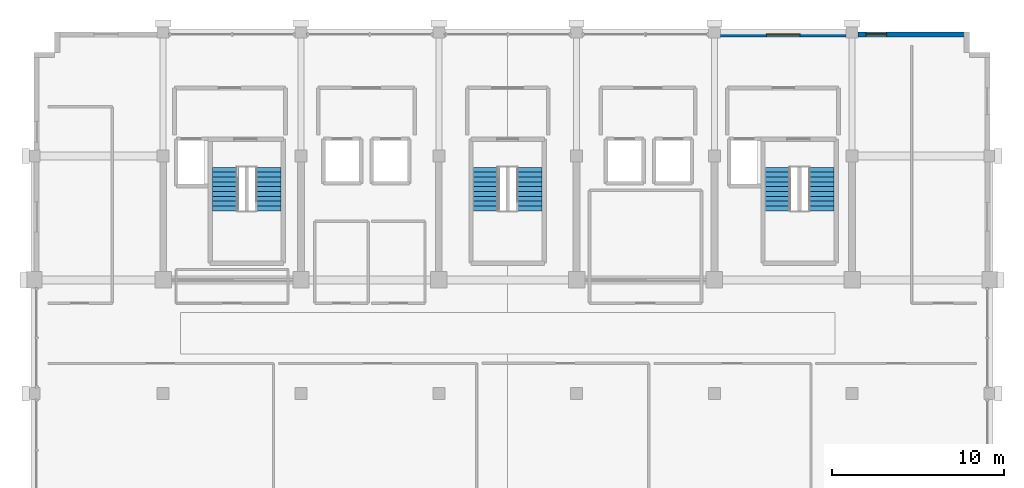
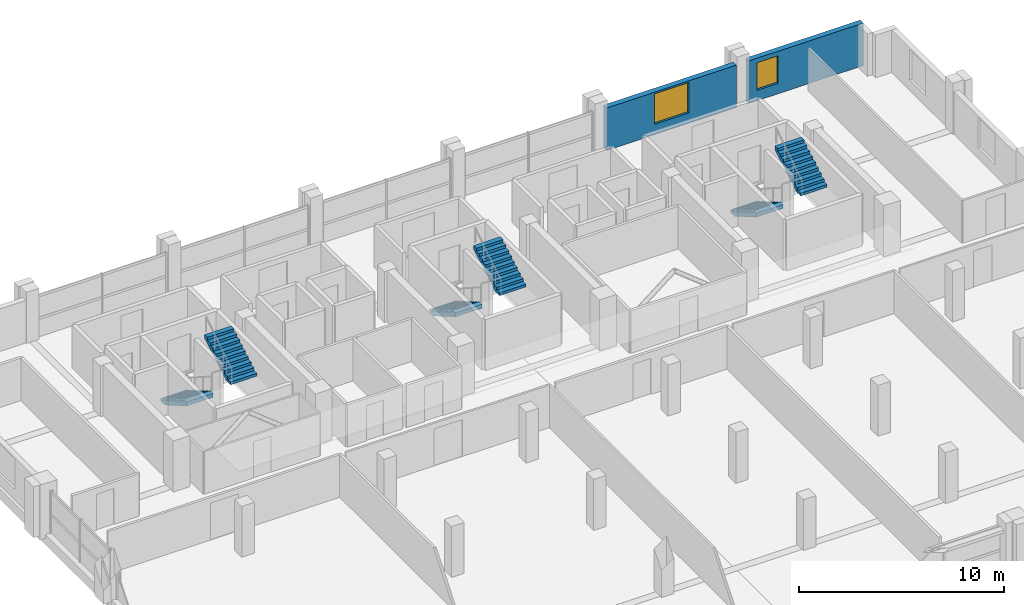
# One storey, part 24 of 25: 6 stair flights, 2 walls, 2 windows, 2 openings, 3 elements without a shape of their own.
"""IFC4 building model written with IfcOpenShell, lengths in metres."""

from ifc_helpers import new_model, si_unit, direction, frame, frame_2d, origin, place, context, subcontext, project, spatial, polyline, rectangle, outline, extrude, material, layer, layer_set, type_object, element, fill, aggregate, save


model = new_model("IFC4")

# Units and contexts
model_context = context("Model", 3, precision=1e-05, world=origin(), true_north=direction((0.0, 1.0)))
body_context = subcontext(model_context, "Body", "Model", "MODEL_VIEW")
ifc_project = project(units=[si_unit("LENGTHUNIT", "METRE"), si_unit("AREAUNIT", "SQUARE_METRE"), si_unit("VOLUMEUNIT", "CUBIC_METRE"), si_unit("PLANEANGLEUNIT", "RADIAN"), si_unit("MASSUNIT", "GRAM", prefix="KILO")], contexts=[model_context])

# Site, building, storey
site_placement = place(None, origin())
site = spatial("IfcSite", under=ifc_project, at=site_placement, CompositionType="ELEMENT")
building_placement = place(site_placement, origin())
building = spatial("IfcBuilding", under=site, at=building_placement, Name="Akrevak Sports Hall", CompositionType="ELEMENT")
storey_placement = place(building_placement, frame((0.0, 0.0, 50.300048828125)))
storey = spatial("IfcBuildingStorey", under=building, at=storey_placement, Name="L12", CompositionType="ELEMENT", Elevation=50.300048828125)

# Wall, opening, window
ifc_material_1 = material(Name="Limestone Ashlar", Category="stone")
ifc_layer_1 = layer(ifc_material_1, 0.06005859375, Name="Limestone Ashlar")
ifc_material_2 = material(Name="Mineral Wool Thermal Insulation", Category="insulation")
ifc_layer_2 = layer(ifc_material_2, 0.090087890625, Name="Mineral Wool Thermal Insulation")
ifc_material_3 = material(Name="Concrete C40/50", Category="concrete")
ifc_layer_3 = layer(ifc_material_3, 0.14990234375, Name="Concrete C40/50")
ifc_layer_set = layer_set([ifc_layer_1, ifc_layer_2, ifc_layer_3], Name="Limestone Ashlar / Mineral Wool Thermal Insulation / Concrete C40/50")
wall_type = type_object("IfcWallType", Name="ARC-WL-EXT-300", PredefinedType="SOLIDWALL", material=ifc_layer_set)
wall_1_placement = place(storey_placement, frame((106.800048828125, 69.449951171875, 0.0), z_axis=(0.0, 0.0, 1.0), x_axis=(-1.0, 0.0, 0.0)))
wall_1 = element("IfcWall", 1, at=wall_1_placement, inside=storey, type_object=wall_type, Name="Tower Stone Facade Wall L12-N19", PredefinedType="SOLIDWALL", context=body_context, shape_type="SweptSolid", body=[
    extrude(rectangle(XDim=6.449951171875, YDim=0.300048828125, at=frame_2d((3.22509765625, 0.0))), origin(), (0.0, 0.0, 1.0), 2.530029296875),
])
opening_1_placement = place(wall_1_placement, frame((4.800048828125, 0.0, 0.6201171875)))
opening_1 = element("IfcOpeningElement", 2, at=opening_1_placement, cuts=wall_1, Name="Opening WN-45", PredefinedType="OPENING", context=body_context, shape_type="SweptSolid", body=[
    extrude(rectangle(XDim=1.199951171875, YDim=1.64990234375, at=frame_2d((0.60009765625, 0.824951171875))), frame((0.0, 0.162109375, 0.0), z_axis=(0.0, -1.0, 0.0), x_axis=(1.0, 0.0, 0.0)), (0.0, 0.0, 1.0), 0.323974609375),
])
ifc_material_4 = material(Name="Thermally Broken Bronze Frame & Double Low-E Glass", Category="glass")
window_type_1 = type_object("IfcWindowType", Name="ARC-WIN-SZ-1200x1650", PartitioningType="SINGLE_PANEL", PredefinedType="WINDOW", material=ifc_material_4)
window_1_placement = place(opening_1_placement, origin())
window_1 = element("IfcWindow", 3, at=window_1_placement, inside=storey, type_object=window_type_1, Name="Tower Window L12-N19", OverallHeight=1.64990234375, OverallWidth=1.199951171875, PartitioningType="SINGLE_PANEL", PredefinedType="WINDOW", context=body_context, shape_type="SweptSolid", body=[
    extrude(rectangle(XDim=1.199951171875, YDim=1.64990234375, at=frame_2d((0.60009765625, 0.824951171875))), frame((0.0, 0.030029296875, 0.0), z_axis=(0.0, -1.0, 0.0), x_axis=(1.0, 0.0, 0.0)), (0.0, 0.0, 1.0), 0.06005859375),
])
fill(opening_1, window_1)

wall_2_placement = place(storey_placement, frame((99.64990234375, 69.449951171875, 0.0), z_axis=(0.0, 0.0, 1.0), x_axis=(-1.0, 0.0, 0.0)))
wall_2 = element("IfcWall", 4, at=wall_2_placement, inside=storey, type_object=wall_type, Name="Tower Stone Facade Wall L12-N20", PredefinedType="SOLIDWALL", context=body_context, shape_type="SweptSolid", body=[
    extrude(rectangle(XDim=7.2998046875, YDim=0.300048828125, at=frame_2d((3.64990234375, 0.0))), origin(), (0.0, 0.0, 1.0), 2.530029296875),
])
opening_2_placement = place(wall_2_placement, frame((2.675048828125, 0.0, 0.6201171875)))
opening_2 = element("IfcOpeningElement", 5, at=opening_2_placement, cuts=wall_2, Name="Opening WN-52", PredefinedType="OPENING", context=body_context, shape_type="SweptSolid", body=[
    extrude(rectangle(XDim=1.949951171875, YDim=1.81005859375, at=frame_2d((0.97509765625, 0.905029296875))), frame((0.0, 0.162109375, 0.0), z_axis=(0.0, -1.0, 0.0), x_axis=(1.0, 0.0, 0.0)), (0.0, 0.0, 1.0), 0.323974609375),
])
window_type_2 = type_object("IfcWindowType", Name="ARC-WIN-SZ-1950x1810", PartitioningType="SINGLE_PANEL", PredefinedType="WINDOW", material=ifc_material_4)
window_2_placement = place(opening_2_placement, origin())
window_2 = element("IfcWindow", 6, at=window_2_placement, inside=storey, type_object=window_type_2, Name="Tower Window L12-N20", OverallHeight=1.81005859375, OverallWidth=1.949951171875, PartitioningType="SINGLE_PANEL", PredefinedType="WINDOW", context=body_context, shape_type="SweptSolid", body=[
    extrude(rectangle(XDim=1.949951171875, YDim=1.81005859375, at=frame_2d((0.97509765625, 0.905029296875))), frame((0.0, 0.030029296875, 0.0), z_axis=(0.0, -1.0, 0.0), x_axis=(1.0, 0.0, 0.0)), (0.0, 0.0, 1.0), 0.06005859375),
])
fill(opening_2, window_2)

# Stair, stair flights
stair_type = type_object("IfcStairType", Name="ARC-STR-DOG-325", PredefinedType="HALF_TURN_STAIR", material=ifc_material_3)
stair_1_placement = place(storey_placement, origin())
stair_1 = element("IfcStair", 7, at=stair_1_placement, inside=storey, type_object=stair_type, Name="Protected Exit Stair ST1 (L12 to L13)", PredefinedType="HALF_TURN_STAIR")
stair_flight_type = type_object("IfcStairFlightType", Name="ARC-FLT-165-163", PredefinedType="STRAIGHT", material=ifc_material_3)
stair_flight_1_placement = place(storey_placement, frame((63.610107421875, 61.735107421875, 0.0), z_axis=(0.0, 0.0, 1.0), x_axis=(0.0, -1.0, 0.0)))
stair_flight_1 = element("IfcStairFlight", 8, at=stair_flight_1_placement, type_object=stair_flight_type, Name="Stair ST1 Flight 1 (L12)", NumberOfRisers=10, NumberOfTreads=9, PredefinedType="STRAIGHT", RiserHeight=0.1625, TreadLength=0.28, context=body_context, shape_type="SweptSolid", body=[
    extrude(outline(polyline([(0.0, 0.0), (0.0, 0.16259765625), (0.280029296875, 0.16259765625), (0.280029296875, 0.324951171875), (0.56005859375, 0.324951171875), (0.56005859375, 0.487548828125), (0.840087890625, 0.487548828125), (0.840087890625, 0.64990234375), (1.1201171875, 0.64990234375), (1.1201171875, 0.8125), (1.39990234375, 0.8125), (1.39990234375, 0.97509765625), (1.679931640625, 0.97509765625), (1.679931640625, 1.137451171875), (1.9599609375, 1.137451171875), (1.9599609375, 1.300048828125), (2.239990234375, 1.300048828125), (2.239990234375, 1.46240234375), (2.52001953125, 1.46240234375), (2.52001953125, 1.625), (2.52001953125, 1.231201171875), (0.3984375, 0.0), (0.0, 0.0)])), frame((0.0, 0.75, 0.0), z_axis=(0.0, -1.0, 0.0), x_axis=(1.0, 0.0, 0.0)), (0.0, 0.0, 1.0), 1.5),
])
stair_flight_2_placement = place(storey_placement, frame((66.090087890625, 59.215087890625, 1.625), z_axis=(0.0, 0.0, 1.0), x_axis=(0.0, 1.0, 0.0)))
stair_flight_2 = element("IfcStairFlight", 9, at=stair_flight_2_placement, type_object=stair_flight_type, Name="Stair ST1 Flight 2 (L12)", NumberOfRisers=10, NumberOfTreads=9, PredefinedType="STRAIGHT", RiserHeight=0.1625, TreadLength=0.28, context=body_context, shape_type="SweptSolid", body=[
    extrude(outline(polyline([(0.0, 0.0), (0.0, 0.16259765625), (0.280029296875, 0.16259765625), (0.280029296875, 0.324951171875), (0.56005859375, 0.324951171875), (0.56005859375, 0.487548828125), (0.840087890625, 0.487548828125), (0.840087890625, 0.64990234375), (1.1201171875, 0.64990234375), (1.1201171875, 0.8125), (1.39990234375, 0.8125), (1.39990234375, 0.97509765625), (1.679931640625, 0.97509765625), (1.679931640625, 1.137451171875), (1.9599609375, 1.137451171875), (1.9599609375, 1.300048828125), (2.239990234375, 1.300048828125), (2.239990234375, 1.46240234375), (2.52001953125, 1.46240234375), (2.52001953125, 1.625), (2.52001953125, 1.231201171875), (0.3984375, 0.0), (0.0, 0.0)])), frame((0.0, 0.75, 0.0), z_axis=(0.0, -1.0, 0.0), x_axis=(1.0, 0.0, 0.0)), (0.0, 0.0, 1.0), 1.5),
])
aggregate(stair_1, [stair_flight_1, stair_flight_2])

stair_2_placement = place(storey_placement, origin())
stair_2 = element("IfcStair", 10, at=stair_2_placement, inside=storey, type_object=stair_type, Name="Protected Exit Stair ST2 (L12 to L13)", PredefinedType="HALF_TURN_STAIR")
stair_flight_3_placement = place(storey_placement, frame((95.7099609375, 61.735107421875, 0.0), z_axis=(0.0, 0.0, 1.0), x_axis=(0.0, -1.0, 0.0)))
stair_flight_3 = element("IfcStairFlight", 11, at=stair_flight_3_placement, type_object=stair_flight_type, Name="Stair ST2 Flight 1 (L12)", NumberOfRisers=10, NumberOfTreads=9, PredefinedType="STRAIGHT", RiserHeight=0.1625, TreadLength=0.28, context=body_context, shape_type="SweptSolid", body=[
    extrude(outline(polyline([(0.0, 0.0), (0.0, 0.16259765625), (0.280029296875, 0.16259765625), (0.280029296875, 0.324951171875), (0.56005859375, 0.324951171875), (0.56005859375, 0.487548828125), (0.840087890625, 0.487548828125), (0.840087890625, 0.64990234375), (1.1201171875, 0.64990234375), (1.1201171875, 0.8125), (1.39990234375, 0.8125), (1.39990234375, 0.97509765625), (1.679931640625, 0.97509765625), (1.679931640625, 1.137451171875), (1.9599609375, 1.137451171875), (1.9599609375, 1.300048828125), (2.239990234375, 1.300048828125), (2.239990234375, 1.46240234375), (2.52001953125, 1.46240234375), (2.52001953125, 1.625), (2.52001953125, 1.231201171875), (0.3984375, 0.0), (0.0, 0.0)])), frame((0.0, 0.75, 0.0), z_axis=(0.0, -1.0, 0.0), x_axis=(1.0, 0.0, 0.0)), (0.0, 0.0, 1.0), 1.5),
])
stair_flight_4_placement = place(storey_placement, frame((98.18994140625, 59.215087890625, 1.625), z_axis=(0.0, 0.0, 1.0), x_axis=(0.0, 1.0, 0.0)))
stair_flight_4 = element("IfcStairFlight", 12, at=stair_flight_4_placement, type_object=stair_flight_type, Name="Stair ST2 Flight 2 (L12)", NumberOfRisers=10, NumberOfTreads=9, PredefinedType="STRAIGHT", RiserHeight=0.1625, TreadLength=0.28, context=body_context, shape_type="SweptSolid", body=[
    extrude(outline(polyline([(0.0, 0.0), (0.0, 0.16259765625), (0.280029296875, 0.16259765625), (0.280029296875, 0.324951171875), (0.56005859375, 0.324951171875), (0.56005859375, 0.487548828125), (0.840087890625, 0.487548828125), (0.840087890625, 0.64990234375), (1.1201171875, 0.64990234375), (1.1201171875, 0.8125), (1.39990234375, 0.8125), (1.39990234375, 0.97509765625), (1.679931640625, 0.97509765625), (1.679931640625, 1.137451171875), (1.9599609375, 1.137451171875), (1.9599609375, 1.300048828125), (2.239990234375, 1.300048828125), (2.239990234375, 1.46240234375), (2.52001953125, 1.46240234375), (2.52001953125, 1.625), (2.52001953125, 1.231201171875), (0.3984375, 0.0), (0.0, 0.0)])), frame((0.0, 0.75, 0.0), z_axis=(0.0, -1.0, 0.0), x_axis=(1.0, 0.0, 0.0)), (0.0, 0.0, 1.0), 1.5),
])
aggregate(stair_2, [stair_flight_3, stair_flight_4])

stair_3_placement = place(storey_placement, origin())
stair_3 = element("IfcStair", 13, at=stair_3_placement, inside=storey, type_object=stair_type, Name="Protected Exit Stair ST3 (L12 to L13)", PredefinedType="HALF_TURN_STAIR")
stair_flight_5_placement = place(storey_placement, frame((78.760009765625, 61.735107421875, 0.0), z_axis=(0.0, 0.0, 1.0), x_axis=(0.0, -1.0, 0.0)))
stair_flight_5 = element("IfcStairFlight", 14, at=stair_flight_5_placement, type_object=stair_flight_type, Name="Stair ST3 Flight 1 (L12)", NumberOfRisers=10, NumberOfTreads=9, PredefinedType="STRAIGHT", RiserHeight=0.1625, TreadLength=0.28, context=body_context, shape_type="SweptSolid", body=[
    extrude(outline(polyline([(0.0, 0.0), (0.0, 0.16259765625), (0.280029296875, 0.16259765625), (0.280029296875, 0.324951171875), (0.56005859375, 0.324951171875), (0.56005859375, 0.487548828125), (0.840087890625, 0.487548828125), (0.840087890625, 0.64990234375), (1.1201171875, 0.64990234375), (1.1201171875, 0.8125), (1.39990234375, 0.8125), (1.39990234375, 0.97509765625), (1.679931640625, 0.97509765625), (1.679931640625, 1.137451171875), (1.9599609375, 1.137451171875), (1.9599609375, 1.300048828125), (2.239990234375, 1.300048828125), (2.239990234375, 1.46240234375), (2.52001953125, 1.46240234375), (2.52001953125, 1.625), (2.52001953125, 1.231201171875), (0.3984375, 0.0), (0.0, 0.0)])), frame((0.0, 0.75, 0.0), z_axis=(0.0, -1.0, 0.0), x_axis=(1.0, 0.0, 0.0)), (0.0, 0.0, 1.0), 1.5),
])
stair_flight_6_placement = place(storey_placement, frame((81.239990234375, 59.215087890625, 1.625), z_axis=(0.0, 0.0, 1.0), x_axis=(0.0, 1.0, 0.0)))
stair_flight_6 = element("IfcStairFlight", 15, at=stair_flight_6_placement, type_object=stair_flight_type, Name="Stair ST3 Flight 2 (L12)", NumberOfRisers=10, NumberOfTreads=9, PredefinedType="STRAIGHT", RiserHeight=0.1625, TreadLength=0.28, context=body_context, shape_type="SweptSolid", body=[
    extrude(outline(polyline([(0.0, 0.0), (0.0, 0.16259765625), (0.280029296875, 0.16259765625), (0.280029296875, 0.324951171875), (0.56005859375, 0.324951171875), (0.56005859375, 0.487548828125), (0.840087890625, 0.487548828125), (0.840087890625, 0.64990234375), (1.1201171875, 0.64990234375), (1.1201171875, 0.8125), (1.39990234375, 0.8125), (1.39990234375, 0.97509765625), (1.679931640625, 0.97509765625), (1.679931640625, 1.137451171875), (1.9599609375, 1.137451171875), (1.9599609375, 1.300048828125), (2.239990234375, 1.300048828125), (2.239990234375, 1.46240234375), (2.52001953125, 1.46240234375), (2.52001953125, 1.625), (2.52001953125, 1.231201171875), (0.3984375, 0.0), (0.0, 0.0)])), frame((0.0, 0.75, 0.0), z_axis=(0.0, -1.0, 0.0), x_axis=(1.0, 0.0, 0.0)), (0.0, 0.0, 1.0), 1.5),
])
aggregate(stair_3, [stair_flight_5, stair_flight_6])

save(model, "model.ifc")
